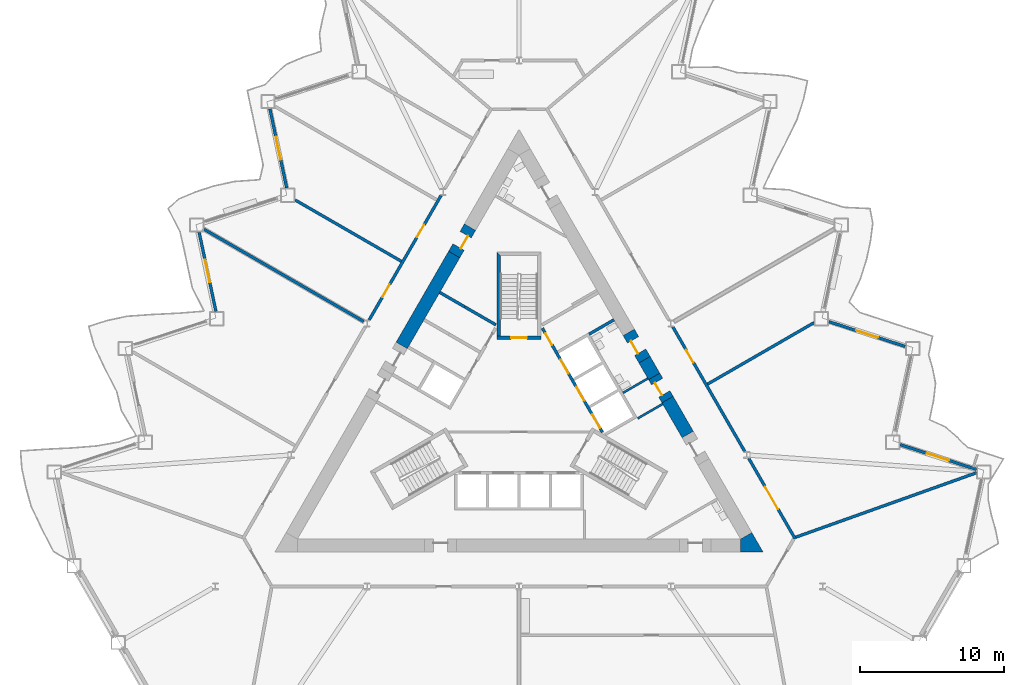
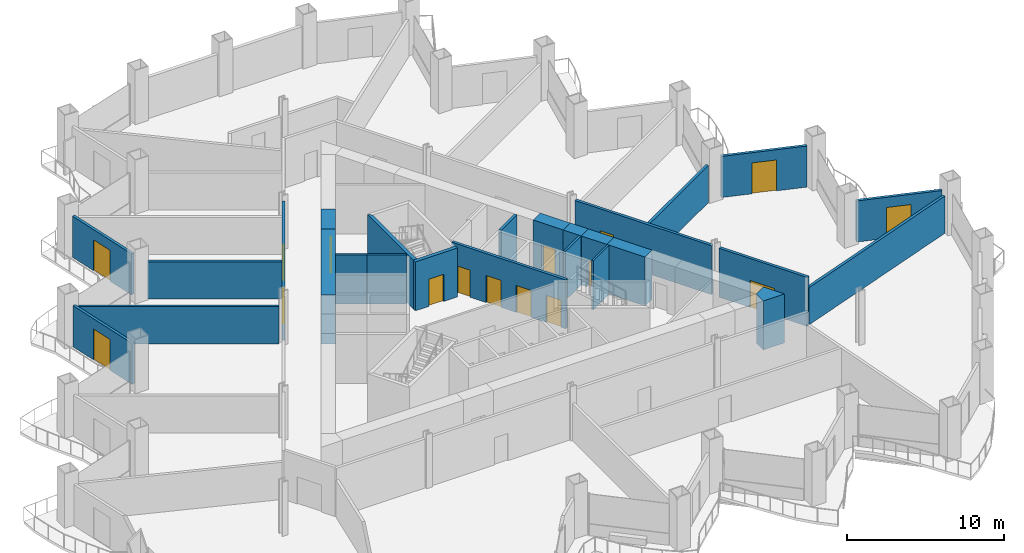
# One storey, part 11 of 21: 26 walls, 16 doors, 16 openings.
"""IFC4 building model written with IfcOpenShell, lengths in metres."""

from ifc_helpers import new_model, si_unit, direction, frame, frame_2d, origin, place, context, subcontext, project, spatial, polyline, rectangle, outline, extrude, material, layer, layer_set, type_object, element, fill, save


model = new_model("IFC4")

# Units and contexts
model_context = context("Model", 3, precision=1e-05, world=origin(), true_north=direction((0.0, 1.0)))
body_context = subcontext(model_context, "Body", "Model", "MODEL_VIEW")
ifc_project = project(units=[si_unit("LENGTHUNIT", "METRE"), si_unit("AREAUNIT", "SQUARE_METRE"), si_unit("VOLUMEUNIT", "CUBIC_METRE"), si_unit("PLANEANGLEUNIT", "RADIAN"), si_unit("MASSUNIT", "GRAM", prefix="KILO")], contexts=[model_context])

# Site, building, storey
site_placement = place(None, origin())
site = spatial("IfcSite", under=ifc_project, at=site_placement, CompositionType="ELEMENT")
building_placement = place(site_placement, origin())
building = spatial("IfcBuilding", under=site, at=building_placement, Name="Cormorant Prow Tower", CompositionType="ELEMENT")
storey_placement = place(building_placement, frame((0.0, 0.0, 76.199951171875)))
storey = spatial("IfcBuildingStorey", under=building, at=storey_placement, Name="L16", CompositionType="ELEMENT", Elevation=76.199951171875)

# Walls
ifc_material_1 = material(Name="Gypsum board partition")
ifc_layer_1 = layer(ifc_material_1, 0.14990234375)
ifc_layer_set_1 = layer_set([ifc_layer_1], Name="Gypsum board partition")
wall_type_1 = type_object("IfcWallType", Name="Core partition 150", PredefinedType="PARTITIONING", material=ifc_layer_set_1)
wall_1_placement = place(storey_placement, frame((8.268310546875, -0.509033203125, 0.0), z_axis=(0.0, 0.0, 1.0), x_axis=(0.866035824272, 0.499981950752, 0.0)))
element("IfcWall", 1, at=wall_1_placement, inside=storey, type_object=wall_type_1, Name="Service room partition", PredefinedType="PARTITIONING", context=body_context, shape_type="SweptSolid", body=[
    extrude(rectangle(XDim=2.0087890625, YDim=0.14990234375, at=frame_2d((1.00439453125, 0.0))), origin(), (0.0, 0.0, 1.0), 3.800048828125),
])
wall_2_placement = place(storey_placement, frame((8.980712890625, 2.275146484375, 0.0), z_axis=(0.0, 0.0, 1.0), x_axis=(-0.866013584312, -0.500020471368, 0.0)))
element("IfcWall", 2, at=wall_2_placement, inside=storey, type_object=wall_type_1, Name="Service room partition", PredefinedType="PARTITIONING", context=body_context, shape_type="SweptSolid", body=[
    extrude(rectangle(XDim=2.00927734375, YDim=0.14990234375, at=frame_2d((1.004638671875, 0.0))), origin(), (0.0, 0.0, 1.0), 3.800048828125),
])
ifc_material_2 = material(Name="Concrete 8000 psi", Category="concrete")
ifc_layer_2 = layer(ifc_material_2, 0.89990234375)
ifc_layer_set_2 = layer_set([ifc_layer_2], Name="Concrete 8000 psi")
wall_type_2 = type_object("IfcWallType", Name="Core shear wall 900", PredefinedType="SHEAR", material=ifc_layer_set_2)
wall_3_placement = place(storey_placement, frame((11.7548828125, -1.63037109375, 0.0), z_axis=(0.0, 0.0, 1.0), x_axis=(-0.499943114462, 0.866058244174, 0.0)))
element("IfcWall", 3, at=wall_3_placement, inside=storey, type_object=wall_type_2, Name="Core wall", PredefinedType="SHEAR", context=body_context, shape_type="SweptSolid", body=[
    extrude(rectangle(XDim=2.809326171875, YDim=0.89990234375, at=frame_2d((1.40478515625, 0.0))), origin(), (0.0, 0.0, 1.0), 3.800048828125),
])
wall_4_placement = place(storey_placement, frame((9.417724609375, 2.417724609375, 0.0), z_axis=(0.0, 0.0, 1.0), x_axis=(-0.49995335277, 0.8660523339, 0.0)))
element("IfcWall", 4, at=wall_4_placement, inside=storey, type_object=wall_type_2, Name="Core wall", PredefinedType="SHEAR", context=body_context, shape_type="SweptSolid", body=[
    extrude(rectangle(XDim=1.342529296875, YDim=0.89990234375, at=frame_2d((0.67138671875, 0.0))), origin(), (0.0, 0.0, 1.0), 3.800048828125),
])
wall_5_placement = place(storey_placement, frame((-4.514404296875, 10.910888671875, 0.0), z_axis=(0.0, 0.0, 1.0), x_axis=(-0.500006662879, -0.866021556935, 0.0)))
element("IfcWall", 5, at=wall_5_placement, inside=storey, type_object=wall_type_2, Name="Core wall", PredefinedType="SHEAR", context=body_context, shape_type="SweptSolid", body=[
    extrude(rectangle(XDim=7.31201171875, YDim=0.89990234375, at=frame_2d((3.656005859375, 0.0))), origin(), (0.0, 0.0, 1.0), 3.800048828125),
])
wall_6_placement = place(storey_placement, origin())
element("IfcWall", 6, at=wall_6_placement, inside=storey, type_object=wall_type_2, Name="Core wall corner", PredefinedType="SHEAR", context=body_context, shape_type="SweptSolid", body=[
    extrude(outline(polyline([(15.441162109375, -9.81494140625), (15.441162109375, -8.9150390625), (16.220703125, -8.465087890625), (17.0, -9.81494140625), (15.441162109375, -9.81494140625)])), origin(), (0.0, 0.0, 1.0), 3.800048828125),
])

# Wall, opening, door
wall_7_placement = place(storey_placement, frame((10.350341796875, 0.802734375, 0.0), z_axis=(0.0, 0.0, 1.0), x_axis=(-0.500081290722, 0.865978465477, 0.0)))
wall_7 = element("IfcWall", 7, at=wall_7_placement, inside=storey, type_object=wall_type_2, Name="Core wall door panel", PredefinedType="SHEAR", context=body_context, shape_type="SweptSolid", body=[
    extrude(rectangle(XDim=1.864990234375, YDim=0.89990234375, at=frame_2d((0.9326171875, 0.0))), origin(), (0.0, 0.0, 1.0), 3.800048828125),
])
opening_1_placement = place(wall_7_placement, frame((0.449951171875, 0.0, 0.0)))
opening_1 = element("IfcOpeningElement", 8, at=opening_1_placement, cuts=wall_7, Name="Opening L16-C18", PredefinedType="OPENING", context=body_context, shape_type="SweptSolid", body=[
    extrude(rectangle(XDim=1.0, YDim=2.10009765625, at=frame_2d((0.5, 1.050048828125))), frame((0.0, 0.4599609375, 0.0), z_axis=(0.0, -1.0, 0.0), x_axis=(1.0, 0.0, 0.0)), (0.0, 0.0, 1.0), 0.919921875),
])
ifc_material_3 = material(Name="Painted steel", Category="steel")
door_type_1 = type_object("IfcDoorType", Name="Service door 1000x2100", OperationType="NOTDEFINED", PredefinedType="DOOR", material=ifc_material_3)
door_1_placement = place(opening_1_placement, origin())
door_1 = element("IfcDoor", 9, at=door_1_placement, inside=storey, type_object=door_type_1, Name="Core door, Mechanical riser room", OperationType="SINGLE_SWING_LEFT", OverallHeight=2.10009765625, OverallWidth=1.0, PredefinedType="DOOR", context=body_context, shape_type="SweptSolid", body=[
    extrude(rectangle(XDim=1.0, YDim=2.10009765625, at=frame_2d((0.5, 1.050048828125))), frame((0.0, 0.205078125, 0.0), z_axis=(0.0, -1.0, 0.0), x_axis=(1.0, 0.0, 0.0)), (0.0, 0.0, 1.0), 0.050048828125),
])
fill(opening_1, door_1)

wall_8_placement = place(storey_placement, frame((8.74658203125, 3.580322265625, 0.0), z_axis=(0.0, 0.0, 1.0), x_axis=(-0.50002983664, 0.866008176907, 0.0)))
wall_8 = element("IfcWall", 10, at=wall_8_placement, inside=storey, type_object=wall_type_2, Name="Core wall door panel", PredefinedType="SHEAR", context=body_context, shape_type="SweptSolid", body=[
    extrude(rectangle(XDim=2.199951171875, YDim=0.89990234375, at=frame_2d((1.10009765625, 0.0))), origin(), (0.0, 0.0, 1.0), 3.800048828125),
])
opening_2_placement = place(wall_8_placement, frame((0.60009765625, 0.0, 0.0)))
opening_2 = element("IfcOpeningElement", 11, at=opening_2_placement, cuts=wall_8, Name="Opening L16-C20", PredefinedType="OPENING", context=body_context, shape_type="SweptSolid", body=[
    extrude(rectangle(XDim=1.0, YDim=2.10009765625, at=frame_2d((0.5, 1.050048828125))), frame((0.0, 0.4599609375, 0.0), z_axis=(0.0, -1.0, 0.0), x_axis=(1.0, 0.0, 0.0)), (0.0, 0.0, 1.0), 0.919921875),
])
door_2_placement = place(opening_2_placement, origin())
door_2 = element("IfcDoor", 12, at=door_2_placement, inside=storey, type_object=door_type_1, Name="Core door, Toilets (women) L16", OperationType="SINGLE_SWING_RIGHT", OverallHeight=2.10009765625, OverallWidth=1.0, PredefinedType="DOOR", context=body_context, shape_type="SweptSolid", body=[
    extrude(rectangle(XDim=1.0, YDim=2.10009765625, at=frame_2d((0.5, 1.050048828125))), frame((0.0, 0.205078125, 0.0), z_axis=(0.0, -1.0, 0.0), x_axis=(1.0, 0.0, 0.0)), (0.0, 0.0, 1.0), 0.050048828125),
])
fill(opening_2, door_2)

wall_9_placement = place(storey_placement, frame((-3.414306640625, 12.816162109375, 0.0), z_axis=(0.0, 0.0, 1.0), x_axis=(-0.50002983664, -0.866008176907, 0.0)))
wall_9 = element("IfcWall", 13, at=wall_9_placement, inside=storey, type_object=wall_type_2, Name="Core wall door panel", PredefinedType="SHEAR", context=body_context, shape_type="SweptSolid", body=[
    extrude(rectangle(XDim=2.199951171875, YDim=0.89990234375, at=frame_2d((1.10009765625, 0.0))), origin(), (0.0, 0.0, 1.0), 3.800048828125),
])
opening_3_placement = place(wall_9_placement, frame((0.60009765625, 0.0, 0.0)))
opening_3 = element("IfcOpeningElement", 14, at=opening_3_placement, cuts=wall_9, Name="Opening L16-C21", PredefinedType="OPENING", context=body_context, shape_type="SweptSolid", body=[
    extrude(rectangle(XDim=1.0, YDim=2.10009765625, at=frame_2d((0.5, 1.050048828125))), frame((0.0, 0.4599609375, 0.0), z_axis=(0.0, -1.0, 0.0), x_axis=(1.0, 0.0, 0.0)), (0.0, 0.0, 1.0), 0.919921875),
])
door_3_placement = place(opening_3_placement, origin())
door_3 = element("IfcDoor", 15, at=door_3_placement, inside=storey, type_object=door_type_1, Name="Core door, Electrical room", OperationType="SINGLE_SWING_RIGHT", OverallHeight=2.10009765625, OverallWidth=1.0, PredefinedType="DOOR", context=body_context, shape_type="SweptSolid", body=[
    extrude(rectangle(XDim=1.0, YDim=2.10009765625, at=frame_2d((0.5, 1.050048828125))), frame((0.0, 0.205078125, 0.0), z_axis=(0.0, -1.0, 0.0), x_axis=(1.0, 0.0, 0.0)), (0.0, 0.0, 1.0), 0.050048828125),
])
fill(opening_3, door_3)

ifc_material_4 = material(Name="Gypsum board corridor wall")
ifc_layer_3 = layer(ifc_material_4, 0.199951171875)
ifc_layer_set_3 = layer_set([ifc_layer_3], Name="Gypsum board corridor wall")
wall_type_3 = type_object("IfcWallType", Name="Corridor wall 200", PredefinedType="PARTITIONING", material=ifc_layer_set_3)
wall_10_placement = place(storey_placement, frame((10.718505859375, 5.865234375, 0.0), z_axis=(0.0, 0.0, 1.0), x_axis=(0.49999175339, -0.866030164915, 0.0)))
wall_10 = element("IfcWall", 16, at=wall_10_placement, inside=storey, type_object=wall_type_3, Name="Corridor wall", PredefinedType="PARTITIONING", context=body_context, shape_type="SweptSolid", body=[
    extrude(rectangle(XDim=10.018798828125, YDim=0.199951171875, at=frame_2d((5.00927734375, 0.0))), origin(), (0.0, 0.0, 1.0), 3.800048828125),
])
opening_4_placement = place(wall_10_placement, frame((1.853515625, 0.0, 0.0)))
opening_4 = element("IfcOpeningElement", 17, at=opening_4_placement, cuts=wall_10, Name="Opening L16-F06", PredefinedType="OPENING", context=body_context, shape_type="SweptSolid", body=[
    extrude(rectangle(XDim=1.0, YDim=2.10009765625, at=frame_2d((0.5, 1.050048828125))), frame((0.0, 0.10986328125, 0.0), z_axis=(0.0, -1.0, 0.0), x_axis=(1.0, 0.0, 0.0)), (0.0, 0.0, 1.0), 0.219970703125),
])
ifc_material_5 = material(Name="Timber door leaf", Category="wood")
door_type_2 = type_object("IfcDoorType", Name="Office door 1000x2100", OperationType="NOTDEFINED", PredefinedType="DOOR", material=ifc_material_5)
door_4_placement = place(opening_4_placement, origin())
door_4 = element("IfcDoor", 18, at=door_4_placement, inside=storey, type_object=door_type_2, Name="Private office door", OperationType="SINGLE_SWING_RIGHT", OverallHeight=2.10009765625, OverallWidth=1.0, PredefinedType="DOOR", context=body_context, shape_type="SweptSolid", body=[
    extrude(rectangle(XDim=1.0, YDim=2.10009765625, at=frame_2d((0.5, 1.050048828125))), frame((0.0, 0.02490234375, 0.0), z_axis=(0.0, -1.0, 0.0), x_axis=(1.0, 0.0, 0.0)), (0.0, 0.0, 1.0), 0.050048828125),
])
fill(opening_4, door_4)

# Wall, openings, doors
wall_11_placement = place(storey_placement, frame((-10.438720703125, 6.349853515625, 0.0), z_axis=(0.0, 0.0, 1.0), x_axis=(0.50001002959, 0.86601961312, 0.0)))
wall_11 = element("IfcWall", 19, at=wall_11_placement, inside=storey, type_object=wall_type_3, Name="Corridor wall", PredefinedType="PARTITIONING", context=body_context, shape_type="SweptSolid", body=[
    extrude(rectangle(XDim=10.018798828125, YDim=0.199951171875, at=frame_2d((5.00927734375, 0.0))), origin(), (0.0, 0.0, 1.0), 3.800048828125),
])
opening_5_placement = place(wall_11_placement, frame((6.664306640625, 0.0, 0.0)))
opening_5 = element("IfcOpeningElement", 20, at=opening_5_placement, cuts=wall_11, Name="Opening L16-F13", PredefinedType="OPENING", context=body_context, shape_type="SweptSolid", body=[
    extrude(rectangle(XDim=1.0, YDim=2.10009765625, at=frame_2d((0.5, 1.050048828125))), frame((0.0, 0.10986328125, 0.0), z_axis=(0.0, -1.0, 0.0), x_axis=(1.0, 0.0, 0.0)), (0.0, 0.0, 1.0), 0.219970703125),
])
opening_6_placement = place(wall_11_placement, frame((1.853515625, 0.0, 0.0)))
opening_6 = element("IfcOpeningElement", 21, at=opening_6_placement, cuts=wall_11, Name="Opening L16-F14", PredefinedType="OPENING", context=body_context, shape_type="SweptSolid", body=[
    extrude(rectangle(XDim=1.0, YDim=2.10009765625, at=frame_2d((0.5, 1.050048828125))), frame((0.0, 0.10986328125, 0.0), z_axis=(0.0, -1.0, 0.0), x_axis=(1.0, 0.0, 0.0)), (0.0, 0.0, 1.0), 0.219970703125),
])
door_5_placement = place(opening_5_placement, origin())
door_5 = element("IfcDoor", 22, at=door_5_placement, inside=storey, type_object=door_type_2, Name="Private office door", OperationType="SINGLE_SWING_RIGHT", OverallHeight=2.10009765625, OverallWidth=1.0, PredefinedType="DOOR", context=body_context, shape_type="SweptSolid", body=[
    extrude(rectangle(XDim=1.0, YDim=2.10009765625, at=frame_2d((0.5, 1.050048828125))), frame((0.0, 0.02490234375, 0.0), z_axis=(0.0, -1.0, 0.0), x_axis=(1.0, 0.0, 0.0)), (0.0, 0.0, 1.0), 0.050048828125),
])
fill(opening_5, door_5)
door_6_placement = place(opening_6_placement, origin())
door_6 = element("IfcDoor", 23, at=door_6_placement, inside=storey, type_object=door_type_2, Name="Private office door", OperationType="SINGLE_SWING_LEFT", OverallHeight=2.10009765625, OverallWidth=1.0, PredefinedType="DOOR", context=body_context, shape_type="SweptSolid", body=[
    extrude(rectangle(XDim=1.0, YDim=2.10009765625, at=frame_2d((0.5, 1.050048828125))), frame((0.0, 0.02490234375, 0.0), z_axis=(0.0, -1.0, 0.0), x_axis=(1.0, 0.0, 0.0)), (0.0, 0.0, 1.0), 0.050048828125),
])
fill(opening_6, door_6)

# Wall, opening, door
wall_12_placement = place(storey_placement, frame((16.007568359375, -3.2958984375, 0.0), z_axis=(0.0, 0.0, 1.0), x_axis=(0.499984737558, -0.86603421538, 0.0)))
wall_12 = element("IfcWall", 24, at=wall_12_placement, inside=storey, type_object=wall_type_3, Name="Corridor wall", PredefinedType="PARTITIONING", context=body_context, shape_type="SweptSolid", body=[
    extrude(rectangle(XDim=6.472900390625, YDim=0.199951171875, at=frame_2d((3.236328125, 0.0))), origin(), (0.0, 0.0, 1.0), 3.800048828125),
])
opening_7_placement = place(wall_12_placement, frame((2.285400390625, 0.0, 0.0)))
opening_7 = element("IfcOpeningElement", 25, at=opening_7_placement, cuts=wall_12, Name="Opening L16-F05", PredefinedType="OPENING", context=body_context, shape_type="SweptSolid", body=[
    extrude(rectangle(XDim=1.800048828125, YDim=2.10009765625, at=frame_2d((0.89990234375, 1.050048828125))), frame((0.0, 0.10986328125, 0.0), z_axis=(0.0, -1.0, 0.0), x_axis=(1.0, 0.0, 0.0)), (0.0, 0.0, 1.0), 0.219970703125),
])
ifc_material_6 = material(Name="Timber door leaf", Category="wood")
door_type_3 = type_object("IfcDoorType", Name="Double door 1800x2100", OperationType="DOUBLE_DOOR_SINGLE_SWING", PredefinedType="DOOR", material=ifc_material_6)
door_7_placement = place(opening_7_placement, origin())
door_7 = element("IfcDoor", 26, at=door_7_placement, inside=storey, type_object=door_type_3, Name="Open-plan office door", OperationType="DOUBLE_DOOR_SINGLE_SWING", OverallHeight=2.10009765625, OverallWidth=1.800048828125, PredefinedType="DOOR", context=body_context, shape_type="SweptSolid", body=[
    extrude(rectangle(XDim=1.800048828125, YDim=2.10009765625, at=frame_2d((0.89990234375, 1.050048828125))), frame((0.0, 0.02490234375, 0.0), z_axis=(0.0, -1.0, 0.0), x_axis=(1.0, 0.0, 0.0)), (0.0, 0.0, 1.0), 0.050048828125),
])
fill(opening_7, door_7)

# Walls
ifc_material_7 = material(Name="Gypsum board demising wall")
ifc_layer_4 = layer(ifc_material_7, 0.199951171875)
ifc_layer_set_4 = layer_set([ifc_layer_4], Name="Gypsum board demising wall")
wall_type_4 = type_object("IfcWallType", Name="Demising wall 200", PredefinedType="PARTITIONING", material=ifc_layer_set_4)
wall_13_placement = place(storey_placement, frame((19.2880859375, -8.78125, 0.0), z_axis=(0.0, 0.0, 1.0), x_axis=(0.94194008836, 0.33578098508, 0.0)))
element("IfcWall", 27, at=wall_13_placement, inside=storey, type_object=wall_type_4, Name="Demising wall", PredefinedType="PARTITIONING", context=body_context, shape_type="SweptSolid", body=[
    extrude(rectangle(XDim=13.367431640625, YDim=0.199951171875, at=frame_2d((6.68359375, 0.0))), origin(), (0.0, 0.0, 1.0), 2.88525390625),
])
wall_14_placement = place(storey_placement, frame((-21.947265625, 12.671142578125, 0.0), z_axis=(0.0, 0.0, 1.0), x_axis=(0.866026729935, -0.499997703033, 0.0)))
element("IfcWall", 28, at=wall_14_placement, inside=storey, type_object=wall_type_4, Name="Demising wall", PredefinedType="PARTITIONING", context=body_context, shape_type="SweptSolid", body=[
    extrude(rectangle(XDim=12.84765625, YDim=0.199951171875, at=frame_2d((6.423828125, 0.0))), origin(), (0.0, 0.0, 1.0), 2.88525390625),
])
wall_15_placement = place(storey_placement, frame((13.13525390625, 1.87890625, 0.0), z_axis=(0.0, 0.0, 1.0), x_axis=(0.866027626846, 0.499996149525, 0.0)))
element("IfcWall", 29, at=wall_15_placement, inside=storey, type_object=wall_type_4, Name="Demising wall", PredefinedType="PARTITIONING", context=body_context, shape_type="SweptSolid", body=[
    extrude(rectangle(XDim=8.57080078125, YDim=0.199951171875, at=frame_2d((4.285400390625, 0.0))), origin(), (0.0, 0.0, 1.0), 2.88525390625),
])
wall_16_placement = place(storey_placement, frame((-15.591796875, 14.70654296875, 0.0), z_axis=(0.0, 0.0, 1.0), x_axis=(0.866032315796, -0.499988027854, 0.0)))
element("IfcWall", 30, at=wall_16_placement, inside=storey, type_object=wall_type_4, Name="Demising wall", PredefinedType="PARTITIONING", context=body_context, shape_type="SweptSolid", body=[
    extrude(rectangle(XDim=8.541259765625, YDim=0.199951171875, at=frame_2d((4.2705078125, 0.0))), origin(), (0.0, 0.0, 1.0), 2.88525390625),
])

# Wall, openings, doors
ifc_material_8 = material(Name="Concrete 5000 psi", Category="concrete")
ifc_layer_5 = layer(ifc_material_8, 0.199951171875)
ifc_layer_set_5 = layer_set([ifc_layer_5], Name="Concrete 5000 psi")
wall_type_5 = type_object("IfcWallType", Name="Lift lobby wall 200", PredefinedType="SOLIDWALL", material=ifc_layer_set_5)
wall_17_placement = place(storey_placement, frame((5.817138671875, -1.4755859375, 0.0), z_axis=(0.0, 0.0, 1.0), x_axis=(-0.500002616675, 0.866023893041, 0.0)))
wall_17 = element("IfcWall", 31, at=wall_17_placement, inside=storey, type_object=wall_type_5, Name="Lift lobby wall, ENE block", PredefinedType="SOLIDWALL", context=body_context, shape_type="SweptSolid", body=[
    extrude(rectangle(XDim=8.373046875, YDim=0.199951171875, at=frame_2d((4.1865234375, 0.0))), origin(), (0.0, 0.0, 1.0), 3.800048828125),
])
opening_8_placement = place(wall_17_placement, frame((0.336669921875, 0.0, 0.0)))
opening_8 = element("IfcOpeningElement", 32, at=opening_8_placement, cuts=wall_17, Name="Opening L16-C05", PredefinedType="OPENING", context=body_context, shape_type="SweptSolid", body=[
    extrude(rectangle(XDim=1.10009765625, YDim=2.10009765625, at=frame_2d((0.550048828125, 1.050048828125))), frame((0.0, 0.10986328125, 0.0), z_axis=(0.0, -1.0, 0.0), x_axis=(1.0, 0.0, 0.0)), (0.0, 0.0, 1.0), 0.219970703125),
])
opening_9_placement = place(wall_17_placement, frame((2.53662109375, 0.0, 0.0)))
opening_9 = element("IfcOpeningElement", 33, at=opening_9_placement, cuts=wall_17, Name="Opening L16-C06", PredefinedType="OPENING", context=body_context, shape_type="SweptSolid", body=[
    extrude(rectangle(XDim=1.10009765625, YDim=2.10009765625, at=frame_2d((0.550048828125, 1.050048828125))), frame((0.0, 0.10986328125, 0.0), z_axis=(0.0, -1.0, 0.0), x_axis=(1.0, 0.0, 0.0)), (0.0, 0.0, 1.0), 0.219970703125),
])
opening_10_placement = place(wall_17_placement, frame((4.736572265625, 0.0, 0.0)))
opening_10 = element("IfcOpeningElement", 34, at=opening_10_placement, cuts=wall_17, Name="Opening L16-C07", PredefinedType="OPENING", context=body_context, shape_type="SweptSolid", body=[
    extrude(rectangle(XDim=1.10009765625, YDim=2.10009765625, at=frame_2d((0.550048828125, 1.050048828125))), frame((0.0, 0.10986328125, 0.0), z_axis=(0.0, -1.0, 0.0), x_axis=(1.0, 0.0, 0.0)), (0.0, 0.0, 1.0), 0.219970703125),
])
opening_11_placement = place(wall_17_placement, frame((7.03662109375, 0.0, 0.0)))
opening_11 = element("IfcOpeningElement", 35, at=opening_11_placement, cuts=wall_17, Name="Opening L16-C08", PredefinedType="OPENING", context=body_context, shape_type="SweptSolid", body=[
    extrude(rectangle(XDim=0.89990234375, YDim=2.10009765625, at=frame_2d((0.449951171875, 1.050048828125))), frame((0.0, 0.10986328125, 0.0), z_axis=(0.0, -1.0, 0.0), x_axis=(1.0, 0.0, 0.0)), (0.0, 0.0, 1.0), 0.219970703125),
])
ifc_material_9 = material(Name="Painted steel", Category="steel")
door_type_4 = type_object("IfcDoorType", Name="Lift landing door 1100x2100", OperationType="SLIDING_TO_LEFT", PredefinedType="DOOR", material=ifc_material_9)
door_8_placement = place(opening_8_placement, origin())
door_8 = element("IfcDoor", 36, at=door_8_placement, inside=storey, type_object=door_type_4, Name="Landing door LR2", OperationType="SLIDING_TO_LEFT", OverallHeight=2.10009765625, OverallWidth=1.10009765625, PredefinedType="DOOR", context=body_context, shape_type="SweptSolid", body=[
    extrude(rectangle(XDim=1.10009765625, YDim=2.10009765625, at=frame_2d((0.550048828125, 1.050048828125))), frame((0.0, 0.02490234375, 0.0), z_axis=(0.0, -1.0, 0.0), x_axis=(1.0, 0.0, 0.0)), (0.0, 0.0, 1.0), 0.050048828125),
])
fill(opening_8, door_8)
door_9_placement = place(opening_9_placement, origin())
door_9 = element("IfcDoor", 37, at=door_9_placement, inside=storey, type_object=door_type_4, Name="Landing door LR3", OperationType="SLIDING_TO_LEFT", OverallHeight=2.10009765625, OverallWidth=1.10009765625, PredefinedType="DOOR", context=body_context, shape_type="SweptSolid", body=[
    extrude(rectangle(XDim=1.10009765625, YDim=2.10009765625, at=frame_2d((0.550048828125, 1.050048828125))), frame((0.0, 0.02490234375, 0.0), z_axis=(0.0, -1.0, 0.0), x_axis=(1.0, 0.0, 0.0)), (0.0, 0.0, 1.0), 0.050048828125),
])
fill(opening_9, door_9)
door_10_placement = place(opening_10_placement, origin())
door_10 = element("IfcDoor", 38, at=door_10_placement, inside=storey, type_object=door_type_4, Name="Landing door LR4", OperationType="SLIDING_TO_LEFT", OverallHeight=2.10009765625, OverallWidth=1.10009765625, PredefinedType="DOOR", context=body_context, shape_type="SweptSolid", body=[
    extrude(rectangle(XDim=1.10009765625, YDim=2.10009765625, at=frame_2d((0.550048828125, 1.050048828125))), frame((0.0, 0.02490234375, 0.0), z_axis=(0.0, -1.0, 0.0), x_axis=(1.0, 0.0, 0.0)), (0.0, 0.0, 1.0), 0.050048828125),
])
fill(opening_10, door_10)
ifc_material_10 = material(Name="Painted steel", Category="steel")
door_type_5 = type_object("IfcDoorType", Name="Service door 900x2100", OperationType="NOTDEFINED", PredefinedType="DOOR", material=ifc_material_10)
door_11_placement = place(opening_11_placement, origin())
door_11 = element("IfcDoor", 39, at=door_11_placement, inside=storey, type_object=door_type_5, Name="Service door, Refuse store", OperationType="SINGLE_SWING_RIGHT", OverallHeight=2.10009765625, OverallWidth=0.89990234375, PredefinedType="DOOR", context=body_context, shape_type="SweptSolid", body=[
    extrude(rectangle(XDim=0.89990234375, YDim=2.10009765625, at=frame_2d((0.449951171875, 1.050048828125))), frame((0.0, 0.02490234375, 0.0), z_axis=(0.0, -1.0, 0.0), x_axis=(1.0, 0.0, 0.0)), (0.0, 0.0, 1.0), 0.050048828125),
])
fill(opening_11, door_11)

# Walls
ifc_material_11 = material(Name="Concrete 8000 psi", Category="concrete")
ifc_layer_6 = layer(ifc_material_11, 0.199951171875)
ifc_layer_set_6 = layer_set([ifc_layer_6], Name="Concrete 8000 psi")
wall_type_6 = type_object("IfcWallType", Name="Lift shaft wall 200", PredefinedType="SHEAR", material=ifc_layer_set_6)
wall_18_placement = place(storey_placement, frame((4.880859375, 5.3583984375, 0.0), z_axis=(0.0, 0.0, 1.0), x_axis=(0.866035824272, 0.499981950752, 0.0)))
element("IfcWall", 40, at=wall_18_placement, inside=storey, type_object=wall_type_6, Name="Store side wall", PredefinedType="SHEAR", context=body_context, shape_type="SweptSolid", body=[
    extrude(rectangle(XDim=2.0087890625, YDim=0.199951171875, at=frame_2d((1.00439453125, 0.0))), origin(), (0.0, 0.0, 1.0), 3.800048828125),
])
wall_19_placement = place(storey_placement, origin())
element("IfcWall", 41, at=wall_19_placement, inside=storey, type_object=wall_type_6, Name="Lift shaft walls, WNW block", PredefinedType="SHEAR", context=body_context, shape_type="SweptSolid", body=[
    extrude(outline(polyline([(-3.730712890625, 7.35009765625), (-1.560546875, 6.09716796875), (-1.660400390625, 5.923828125), (-3.830810546875, 7.177001953125), (-3.730712890625, 7.35009765625)])), origin(), (0.0, 0.0, 1.0), 3.800048828125),
])
wall_20_placement = place(storey_placement, frame((-3.78076171875, 7.263427734375, 0.0), z_axis=(0.0, 0.0, 1.0), x_axis=(-0.865983199114, 0.50007309351, 0.0)))
element("IfcWall", 42, at=wall_20_placement, inside=storey, type_object=wall_type_6, Name="Store side wall", PredefinedType="SHEAR", context=body_context, shape_type="SweptSolid", body=[
    extrude(rectangle(XDim=2.009033203125, YDim=0.199951171875, at=frame_2d((1.00439453125, 0.0))), origin(), (0.0, 0.0, 1.0), 3.800048828125),
])
ifc_material_12 = material(Name="Concrete 8000 psi", Category="concrete")
ifc_layer_7 = layer(ifc_material_12, 0.25)
ifc_layer_set_7 = layer_set([ifc_layer_7], Name="Concrete 8000 psi")
wall_type_7 = type_object("IfcWallType", Name="Stair wall 250", PredefinedType="SHEAR", material=ifc_layer_set_7)
wall_21_placement = place(storey_placement, origin())
element("IfcWall", 43, at=wall_21_placement, inside=storey, type_object=wall_type_7, Name="Stair ST3 enclosure wall (flank)", PredefinedType="SHEAR", context=body_context, shape_type="SweptSolid", body=[
    extrude(outline(polyline([(-1.2939453125, 10.8369140625), (-1.5439453125, 11.0869140625), (-1.5439453125, 5.23681640625), (-1.2939453125, 5.23681640625), (-1.2939453125, 10.8369140625)])), origin(), (0.0, 0.0, 1.0), 3.800048828125),
])

# Wall, opening, door
wall_22_placement = place(storey_placement, frame((1.5439453125, 5.11181640625, 0.0), z_axis=(0.0, 0.0, 1.0), x_axis=(-1.0, 0.0, 0.0)))
wall_22 = element("IfcWall", 44, at=wall_22_placement, inside=storey, type_object=wall_type_7, Name="Stair ST3 door wall", PredefinedType="SHEAR", context=body_context, shape_type="SweptSolid", body=[
    extrude(rectangle(XDim=3.087890625, YDim=0.25, at=frame_2d((1.5439453125, 0.0))), origin(), (0.0, 0.0, 1.0), 3.800048828125),
])
opening_12_placement = place(wall_22_placement, frame((0.993896484375, 0.0, 0.0)))
opening_12 = element("IfcOpeningElement", 45, at=opening_12_placement, cuts=wall_22, Name="Opening L16-C14", PredefinedType="OPENING", context=body_context, shape_type="SweptSolid", body=[
    extrude(rectangle(XDim=1.10009765625, YDim=2.10009765625, at=frame_2d((0.550048828125, 1.050048828125))), frame((0.0, 0.135009765625, 0.0), z_axis=(0.0, -1.0, 0.0), x_axis=(1.0, 0.0, 0.0)), (0.0, 0.0, 1.0), 0.27001953125),
])
ifc_material_13 = material(Name="Painted steel", Category="steel")
door_type_6 = type_object("IfcDoorType", Name="Stair door 1100x2100", OperationType="NOTDEFINED", PredefinedType="DOOR", material=ifc_material_13)
door_12_placement = place(opening_12_placement, origin())
door_12 = element("IfcDoor", 46, at=door_12_placement, inside=storey, type_object=door_type_6, Name="Stair ST3 door", OperationType="SINGLE_SWING_RIGHT", OverallHeight=2.10009765625, OverallWidth=1.10009765625, PredefinedType="DOOR", context=body_context, shape_type="SweptSolid", body=[
    extrude(rectangle(XDim=1.10009765625, YDim=2.10009765625, at=frame_2d((0.550048828125, 1.050048828125))), frame((0.0, 0.02490234375, 0.0), z_axis=(0.0, -1.0, 0.0), x_axis=(1.0, 0.0, 0.0)), (0.0, 0.0, 1.0), 0.050048828125),
])
fill(opening_12, door_12)

ifc_material_14 = material(Name="Terracotta", Category="masonry")
ifc_layer_8 = layer(ifc_material_14, 0.199951171875)
ifc_layer_set_8 = layer_set([ifc_layer_8], Name="Terracotta")
wall_type_8 = type_object("IfcWallType", Name="Terracotta jamb wall 200", PredefinedType="SOLIDWALL", material=ifc_layer_set_8)
wall_23_placement = place(storey_placement, frame((31.86474609375, -4.06005859375, 0.0), z_axis=(0.0, 0.0, 1.0), x_axis=(-0.951054004345, 0.309024725255, 0.0)))
wall_23 = element("IfcWall", 47, at=wall_23_placement, inside=storey, type_object=wall_type_8, Name="Terracotta jamb wall ENE01", PredefinedType="SOLIDWALL", context=body_context, shape_type="SweptSolid", body=[
    extrude(rectangle(XDim=5.579345703125, YDim=0.199951171875, at=frame_2d((2.78955078125, 0.0))), origin(), (0.0, 0.0, 1.0), 3.18896484375),
])
opening_13_placement = place(wall_23_placement, frame((2.01220703125, 0.0, 0.0)))
opening_13 = element("IfcOpeningElement", 48, at=opening_13_placement, cuts=wall_23, Name="Opening ED16.06", PredefinedType="OPENING", context=body_context, shape_type="SweptSolid", body=[
    extrude(rectangle(XDim=1.60009765625, YDim=2.39990234375, at=frame_2d((0.800048828125, 1.199951171875))), frame((0.0, 0.10986328125, 0.0), z_axis=(0.0, -1.0, 0.0), x_axis=(1.0, 0.0, 0.0)), (0.0, 0.0, 1.0), 0.219970703125),
])
ifc_material_15 = material(Name="Aluminium 6063-T6", Category="aluminium")
door_type_7 = type_object("IfcDoorType", Name="Balcony door 1600x2400", OperationType="DOUBLE_DOOR_SINGLE_SWING", PredefinedType="DOOR", material=ifc_material_15)
door_13_placement = place(opening_13_placement, origin())
door_13 = element("IfcDoor", 49, at=door_13_placement, inside=storey, type_object=door_type_7, Name="Balcony door ENE01 ED16.06", OperationType="DOUBLE_DOOR_SINGLE_SWING", OverallHeight=2.39990234375, OverallWidth=1.60009765625, PredefinedType="DOOR", context=body_context, shape_type="SweptSolid", body=[
    extrude(rectangle(XDim=1.60009765625, YDim=2.39990234375, at=frame_2d((0.800048828125, 1.199951171875))), frame((0.0, 0.02490234375, 0.0), z_axis=(0.0, -1.0, 0.0), x_axis=(1.0, 0.0, 0.0)), (0.0, 0.0, 1.0), 0.050048828125),
])
fill(opening_13, door_13)

wall_24_placement = place(storey_placement, frame((26.898681640625, 4.50537109375, 0.0), z_axis=(0.0, 0.0, 1.0), x_axis=(-0.951054004345, 0.309024725255, 0.0)))
wall_24 = element("IfcWall", 50, at=wall_24_placement, inside=storey, type_object=wall_type_8, Name="Terracotta jamb wall ENE03", PredefinedType="SOLIDWALL", context=body_context, shape_type="SweptSolid", body=[
    extrude(rectangle(XDim=5.579345703125, YDim=0.199951171875, at=frame_2d((2.78955078125, 0.0))), origin(), (0.0, 0.0, 1.0), 3.18896484375),
])
opening_14_placement = place(wall_24_placement, frame((1.9853515625, 0.0, 0.0)))
opening_14 = element("IfcOpeningElement", 51, at=opening_14_placement, cuts=wall_24, Name="Opening ED16.07", PredefinedType="OPENING", context=body_context, shape_type="SweptSolid", body=[
    extrude(rectangle(XDim=1.60009765625, YDim=2.39990234375, at=frame_2d((0.800048828125, 1.199951171875))), frame((0.0, 0.10986328125, 0.0), z_axis=(0.0, -1.0, 0.0), x_axis=(1.0, 0.0, 0.0)), (0.0, 0.0, 1.0), 0.219970703125),
])
door_14_placement = place(opening_14_placement, origin())
door_14 = element("IfcDoor", 52, at=door_14_placement, inside=storey, type_object=door_type_7, Name="Balcony door ENE03 ED16.07", OperationType="DOUBLE_DOOR_SINGLE_SWING", OverallHeight=2.39990234375, OverallWidth=1.60009765625, PredefinedType="DOOR", context=body_context, shape_type="SweptSolid", body=[
    extrude(rectangle(XDim=1.60009765625, YDim=2.39990234375, at=frame_2d((0.800048828125, 1.199951171875))), frame((0.0, 0.02490234375, 0.0), z_axis=(0.0, -1.0, 0.0), x_axis=(1.0, 0.0, 0.0)), (0.0, 0.0, 1.0), 0.050048828125),
])
fill(opening_14, door_14)

wall_25_placement = place(storey_placement, frame((-17.352783203125, 21.050537109375, 0.0), z_axis=(0.0, 0.0, 1.0), x_axis=(0.207901831982, -0.978149696242, 0.0)))
wall_25 = element("IfcWall", 53, at=wall_25_placement, inside=storey, type_object=wall_type_8, Name="Terracotta jamb wall WNW03", PredefinedType="SOLIDWALL", context=body_context, shape_type="SweptSolid", body=[
    extrude(rectangle(XDim=5.626220703125, YDim=0.199951171875, at=frame_2d((2.81298828125, 0.0))), origin(), (0.0, 0.0, 1.0), 3.18896484375),
])
opening_15_placement = place(wall_25_placement, frame((1.993896484375, 0.0, 0.0)))
opening_15 = element("IfcOpeningElement", 54, at=opening_15_placement, cuts=wall_25, Name="Opening ED16.12", PredefinedType="OPENING", context=body_context, shape_type="SweptSolid", body=[
    extrude(rectangle(XDim=1.60009765625, YDim=2.39990234375, at=frame_2d((0.800048828125, 1.199951171875))), frame((0.0, 0.10986328125, 0.0), z_axis=(0.0, -1.0, 0.0), x_axis=(1.0, 0.0, 0.0)), (0.0, 0.0, 1.0), 0.219970703125),
])
door_15_placement = place(opening_15_placement, origin())
door_15 = element("IfcDoor", 55, at=door_15_placement, inside=storey, type_object=door_type_7, Name="Balcony door WNW03 ED16.12", OperationType="DOUBLE_DOOR_SINGLE_SWING", OverallHeight=2.39990234375, OverallWidth=1.60009765625, PredefinedType="DOOR", context=body_context, shape_type="SweptSolid", body=[
    extrude(rectangle(XDim=1.60009765625, YDim=2.39990234375, at=frame_2d((0.800048828125, 1.199951171875))), frame((0.0, 0.02490234375, 0.0), z_axis=(0.0, -1.0, 0.0), x_axis=(1.0, 0.0, 0.0)), (0.0, 0.0, 1.0), 0.050048828125),
])
fill(opening_15, door_15)

wall_26_placement = place(storey_placement, frame((-22.283935546875, 12.448974609375, 0.0), z_axis=(0.0, 0.0, 1.0), x_axis=(0.207943350029, -0.978140870825, 0.0)))
wall_26 = element("IfcWall", 56, at=wall_26_placement, inside=storey, type_object=wall_type_8, Name="Terracotta jamb wall WNW05", PredefinedType="SOLIDWALL", context=body_context, shape_type="SweptSolid", body=[
    extrude(rectangle(XDim=5.626220703125, YDim=0.199951171875, at=frame_2d((2.81298828125, 0.0))), origin(), (0.0, 0.0, 1.0), 3.18896484375),
])
opening_16_placement = place(wall_26_placement, frame((1.948486328125, 0.0, 0.0)))
opening_16 = element("IfcOpeningElement", 57, at=opening_16_placement, cuts=wall_26, Name="Opening ED16.13", PredefinedType="OPENING", context=body_context, shape_type="SweptSolid", body=[
    extrude(rectangle(XDim=1.60009765625, YDim=2.39990234375, at=frame_2d((0.800048828125, 1.199951171875))), frame((0.0, 0.10986328125, 0.0), z_axis=(0.0, -1.0, 0.0), x_axis=(1.0, 0.0, 0.0)), (0.0, 0.0, 1.0), 0.219970703125),
])
door_16_placement = place(opening_16_placement, origin())
door_16 = element("IfcDoor", 58, at=door_16_placement, inside=storey, type_object=door_type_7, Name="Balcony door WNW05 ED16.13", OperationType="DOUBLE_DOOR_SINGLE_SWING", OverallHeight=2.39990234375, OverallWidth=1.60009765625, PredefinedType="DOOR", context=body_context, shape_type="SweptSolid", body=[
    extrude(rectangle(XDim=1.60009765625, YDim=2.39990234375, at=frame_2d((0.800048828125, 1.199951171875))), frame((0.0, 0.02490234375, 0.0), z_axis=(0.0, -1.0, 0.0), x_axis=(1.0, 0.0, 0.0)), (0.0, 0.0, 1.0), 0.050048828125),
])
fill(opening_16, door_16)

save(model, "model.ifc")
